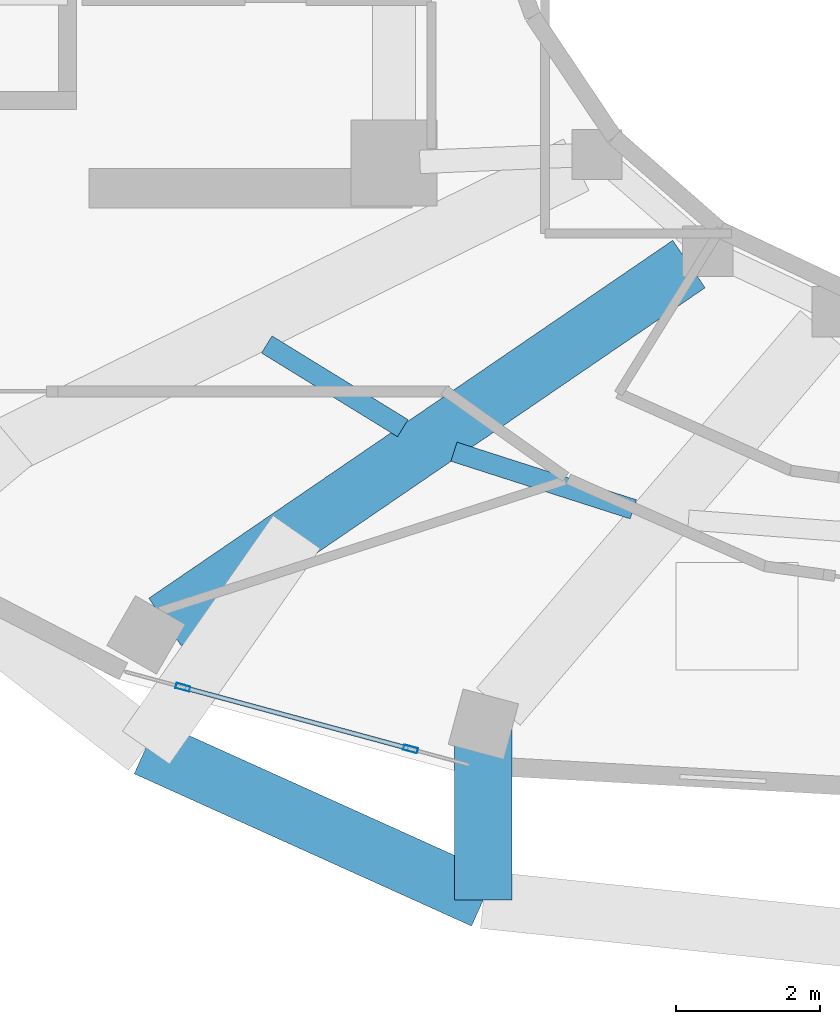
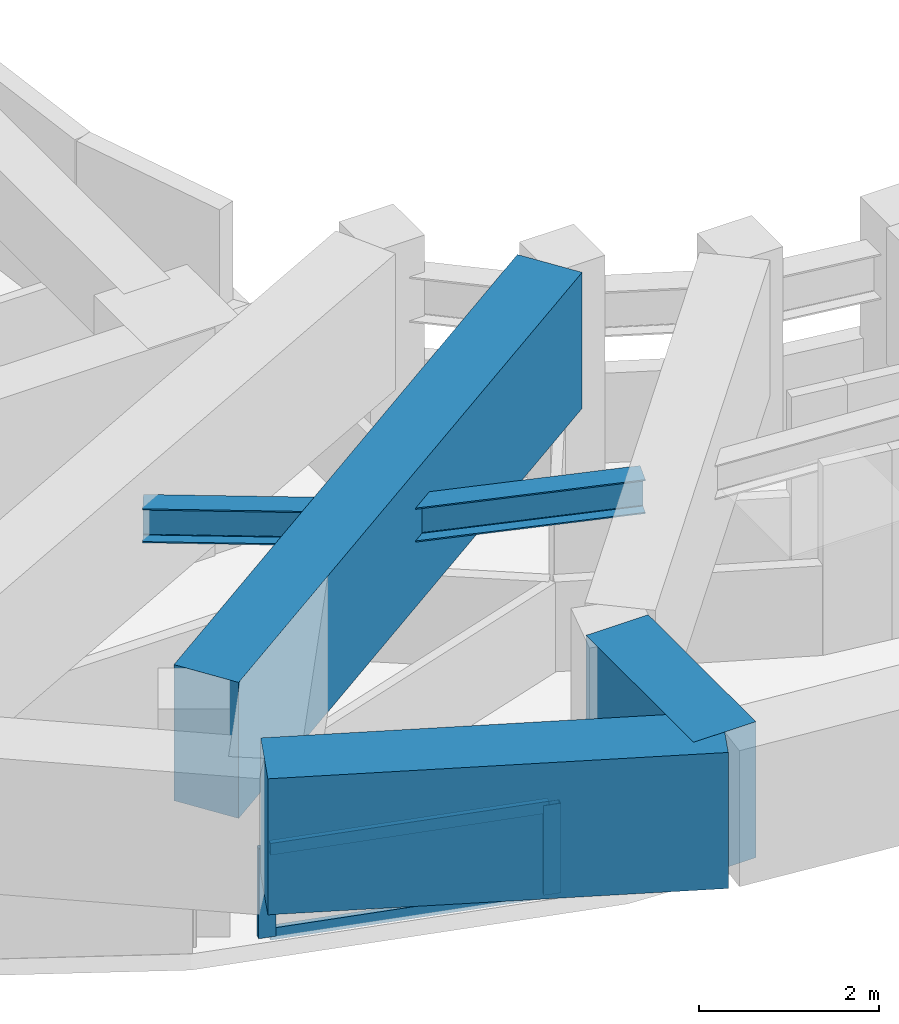
# One storey, part 2 of 19: 5 beams, 4 members, 1 element without a shape of its own.
"""IFC4 building model written with IfcOpenShell, lengths in metres."""

from ifc_helpers import new_model, si_unit, direction, frame, origin, origin_2d, place, context, subcontext, project, spatial, rectangle, hollow_rectangle, i_section, extrude, material, layer, layer_set, material_profile, profile_set, type_object, element, aggregate, save


model = new_model("IFC4")

# Units and contexts
model_context = context("Model", 3, precision=1e-05, world=origin(), true_north=direction((0.0, 1.0)))
body_context = subcontext(model_context, "Body", "Model", "MODEL_VIEW")
ifc_project = project(units=[si_unit("LENGTHUNIT", "METRE"), si_unit("AREAUNIT", "SQUARE_METRE"), si_unit("VOLUMEUNIT", "CUBIC_METRE"), si_unit("PLANEANGLEUNIT", "RADIAN"), si_unit("MASSUNIT", "GRAM", prefix="KILO")], contexts=[model_context])

# Site, building, storey
site_placement = place(None, origin())
site = spatial("IfcSite", under=ifc_project, at=site_placement, CompositionType="ELEMENT")
building_placement = place(site_placement, origin())
building = spatial("IfcBuilding", under=site, at=building_placement, Name="Solvane Sanctuary Tower", CompositionType="ELEMENT")
storey_placement = place(building_placement, frame((0.0, 0.0, 207.800048828125)))
storey = spatial("IfcBuildingStorey", under=building, at=storey_placement, Name="L63", CompositionType="ELEMENT", Elevation=207.800048828125)

# Beams
ifc_material_1 = material(Name="Steel ASTM A992 Grade 50", Category="steel")
ifc_material_profile_1 = material_profile(ifc_material_1, i_section(OverallWidth=0.280029296875, OverallDepth=0.462890625, WebThickness=0.0107421875, FlangeThickness=0.017333984375, FilletRadius=0.013916015625, at=origin_2d()), Name="W18X76")
ifc_profile_set_1 = profile_set([ifc_material_profile_1], Name="Steel ASTM A992 Grade 50")
beam_type_1 = type_object("IfcBeamType", Name="Beam B-SEC-JOIST W18X76", PredefinedType="JOIST", material=ifc_profile_set_1)
beam_1_placement = place(storey_placement, frame((22.12646484375, 14.37353515625, 2.366455078125), z_axis=(0.8516281705, -0.524146410091, 0.0), x_axis=(0.524146410091, 0.8516281705, 0.0)))
element("IfcBeam", 1, at=beam_1_placement, inside=storey, type_object=beam_type_1, Name="L63 Secondary Circumferential Joist 08-09", PredefinedType="JOIST", context=body_context, shape_type="SweptSolid", body=[
    extrude(i_section(OverallWidth=0.280029296875, OverallDepth=0.462890625, WebThickness=0.0107421875, FlangeThickness=0.017333984375, FilletRadius=0.013916015625, at=origin_2d()), origin(), (0.0, 0.0, 1.0), 2.224609375),
])
beam_2_placement = place(storey_placement, frame((24.733642578125, 12.879638671875, 2.366455078125), z_axis=(0.952116669228, -0.305734931236, 0.0), x_axis=(0.305734931236, 0.952116669228, 0.0)))
element("IfcBeam", 2, at=beam_2_placement, inside=storey, type_object=beam_type_1, Name="L63 Secondary Circumferential Joist 09-10", PredefinedType="JOIST", context=body_context, shape_type="SweptSolid", body=[
    extrude(i_section(OverallWidth=0.280029296875, OverallDepth=0.462890625, WebThickness=0.0107421875, FlangeThickness=0.017333984375, FilletRadius=0.013916015625, at=origin_2d()), origin(), (0.0, 0.0, 1.0), 2.622314453125),
])
ifc_material_2 = material(Name="Concrete C70/85", Category="concrete")
ifc_material_profile_2 = material_profile(ifc_material_2, rectangle(XDim=0.800048828125, YDim=1.85009765625, at=origin_2d()), Name="RC800X1850")
ifc_profile_set_2 = profile_set([ifc_material_profile_2], Name="Concrete C70/85")
beam_type_2 = type_object("IfcBeamType", Name="Beam B-XFER-BLK RC800X1850", PredefinedType="BEAM", material=ifc_profile_set_2)
beam_3_placement = place(storey_placement, frame((28.005859375, 15.492919921875, 2.175048828125), z_axis=(-0.825702118839, -0.564106382648, 0.0), x_axis=(0.564106382648, -0.825702118839, 0.0)))
element("IfcBeam", 3, at=beam_3_placement, inside=storey, type_object=beam_type_2, Name="L63 Block-Shift Radial Transfer Girder 09A", PredefinedType="BEAM", context=body_context, shape_type="SweptSolid", body=[
    extrude(rectangle(XDim=0.800048828125, YDim=1.85009765625, at=origin_2d()), origin(), (0.0, 0.0, 1.0), 8.837158203125),
])
beam_4_placement = place(storey_placement, frame((25.143798828125, 9.03564453125, 2.175048828125), z_axis=(0.0, -1.0, 0.0), x_axis=(1.0, 0.0, 0.0)))
element("IfcBeam", 4, at=beam_4_placement, inside=storey, type_object=beam_type_2, Name="L63 Block-Shift Transfer Tie 10B", PredefinedType="BEAM", context=body_context, shape_type="SweptSolid", body=[
    extrude(rectangle(XDim=0.800048828125, YDim=1.85009765625, at=origin_2d()), origin(), (0.0, 0.0, 1.0), 2.39794921875),
])
beam_5_placement = place(storey_placement, frame((20.44482421875, 8.758544921875, 2.175048828125), z_axis=(0.911462833157, -0.411382430074, 0.0), x_axis=(0.411382430074, 0.911462833157, 0.0)))
element("IfcBeam", 5, at=beam_5_placement, inside=storey, type_object=beam_type_2, Name="L63 Perimeter Step Transfer Ring NTC09-NTC10", PredefinedType="BEAM", context=body_context, shape_type="SweptSolid", body=[
    extrude(rectangle(XDim=0.800048828125, YDim=1.85009765625, at=origin_2d()), origin(), (0.0, 0.0, 1.0), 5.155517578125),
])

# Curtain wall, members
ifc_material_3 = material(Name="Anodised Aluminium 6063-T6", Category="aluminium")
ifc_layer = layer(ifc_material_3, 0.18994140625, Name="Anodised Aluminium 6063-T6")
ifc_layer_set = layer_set([ifc_layer], Name="Anodised Aluminium 6063-T6")
curtain_wall_type = type_object("IfcCurtainWallType", Name="Curtain Wall CW-OPER", PredefinedType="NOTDEFINED", material=ifc_layer_set)
curtain_wall_placement = place(storey_placement, origin())
curtain_wall = element("IfcCurtainWall", 6, at=curtain_wall_placement, inside=storey, type_object=curtain_wall_type, Name="L63 CW-OPER Facade Run 16", PredefinedType="NOTDEFINED")
ifc_material_profile_3 = material_profile(ifc_material_3, hollow_rectangle(XDim=0.074951171875, YDim=0.199951171875, WallThickness=0.00390625, at=origin_2d()), Name="ALU200X75X4")
ifc_profile_set_3 = profile_set([ifc_material_profile_3], Name="Anodised Aluminium 6063-T6")
member_type_1 = type_object("IfcMemberType", Name="Member M-CW-MUL-1 ALU200X75X4", PredefinedType="MULLION", material=ifc_profile_set_3)
member_1_placement = place(storey_placement, frame((20.95751953125, 9.5986328125, 0.0), z_axis=(0.0, 0.0, 1.0), x_axis=(0.261468027073, 0.965212137728, 0.0)))
member_1 = element("IfcMember", 7, at=member_1_placement, type_object=member_type_1, Name="CW-OPER mullion 1", PredefinedType="MULLION", context=body_context, shape_type="SweptSolid", body=[
    extrude(hollow_rectangle(XDim=0.074951171875, YDim=0.199951171875, WallThickness=0.00390625, at=origin_2d()), origin(), (0.0, 0.0, 1.0), 1.219970703125),
])
member_2_placement = place(storey_placement, frame((24.12939453125, 8.739501953125, 0.0), z_axis=(0.0, 0.0, 1.0), x_axis=(0.261468027073, 0.965212137728, 0.0)))
member_2 = element("IfcMember", 8, at=member_2_placement, type_object=member_type_1, Name="CW-OPER mullion 2", PredefinedType="MULLION", context=body_context, shape_type="SweptSolid", body=[
    extrude(hollow_rectangle(XDim=0.074951171875, YDim=0.199951171875, WallThickness=0.00390625, at=origin_2d()), origin(), (0.0, 0.0, 1.0), 1.219970703125),
])
ifc_material_profile_4 = material_profile(ifc_material_3, hollow_rectangle(XDim=0.06494140625, YDim=0.159912109375, WallThickness=0.00341796875, at=origin_2d()), Name="ALU160X65X3.5")
ifc_profile_set_4 = profile_set([ifc_material_profile_4], Name="Anodised Aluminium 6063-T6")
member_type_2 = type_object("IfcMemberType", Name="Member M-CW-TRN-1 ALU160X65X3.5", PredefinedType="USERDEFINED", material=ifc_profile_set_4)
member_3_placement = place(storey_placement, frame((20.993896484375, 9.5888671875, 0.032470703125), z_axis=(0.965206383787, -0.261489266885, 0.0), x_axis=(0.261489266885, 0.965206383787, 0.0)))
member_3 = element("IfcMember", 9, at=member_3_placement, type_object=member_type_2, Name="CW-OPER transom 1.1", ObjectType="TRANSOM", PredefinedType="USERDEFINED", context=body_context, shape_type="SweptSolid", body=[
    extrude(hollow_rectangle(XDim=0.06494140625, YDim=0.159912109375, WallThickness=0.00341796875, at=origin_2d()), origin(), (0.0, 0.0, 1.0), 3.2109375),
])
member_4_placement = place(storey_placement, frame((20.993896484375, 9.5888671875, 1.1875), z_axis=(0.965206383787, -0.261489266885, 0.0), x_axis=(0.261489266885, 0.965206383787, 0.0)))
member_4 = element("IfcMember", 10, at=member_4_placement, type_object=member_type_2, Name="CW-OPER transom 1.2", ObjectType="TRANSOM", PredefinedType="USERDEFINED", context=body_context, shape_type="SweptSolid", body=[
    extrude(hollow_rectangle(XDim=0.06494140625, YDim=0.159912109375, WallThickness=0.00341796875, at=origin_2d()), origin(), (0.0, 0.0, 1.0), 3.2109375),
])
aggregate(curtain_wall, [member_1, member_2, member_3, member_4])

save(model, "model.ifc")
